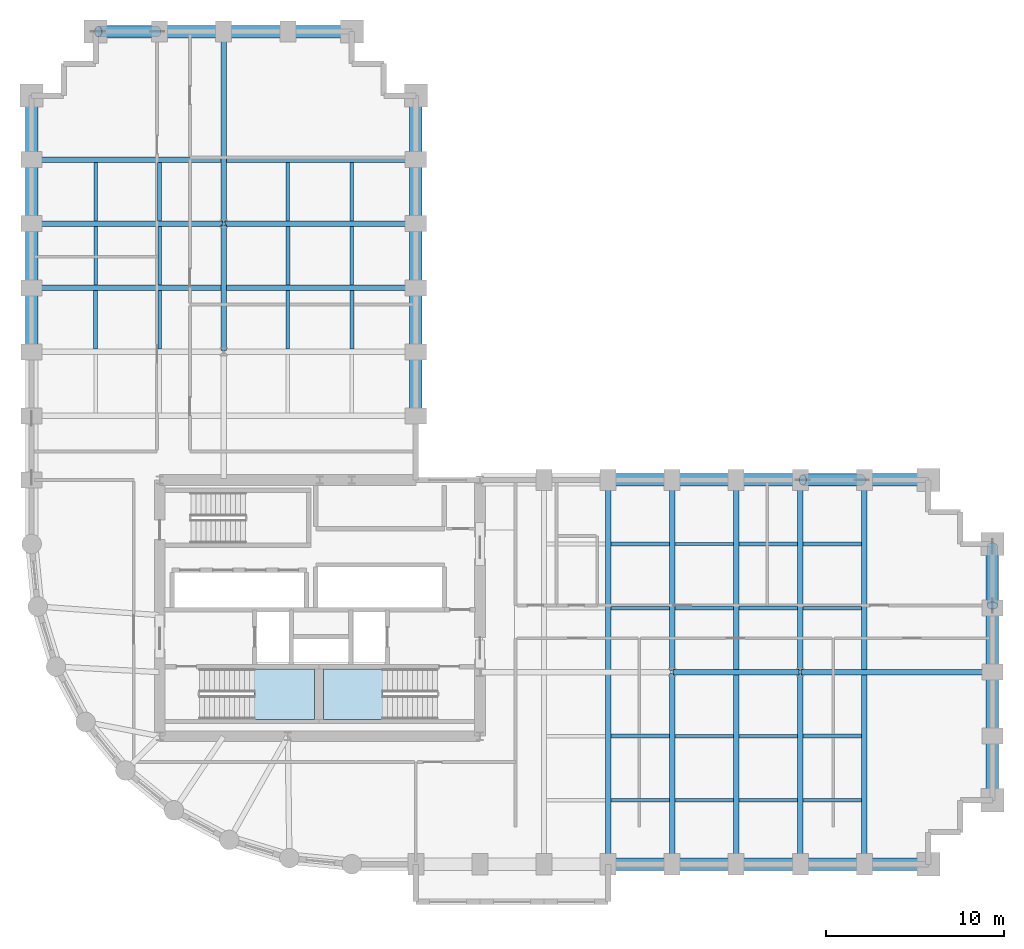
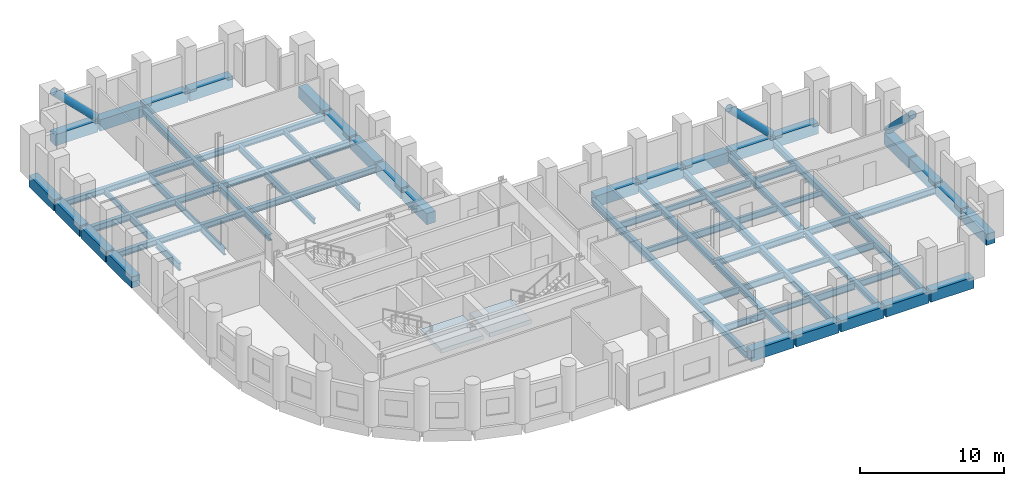
# One storey, part 2 of 9: 70 beams, 3 members, 2 slabs, 2 elements without a shape of their own.
"""IFC4 building model written with IfcOpenShell, lengths in metres."""

import ifcopenshell
import ifcopenshell.guid

model = None  # the IFC model being written
_history = None  # IfcOwnerHistory: only IFC2X3 demands one
_inside = {}  # id of a spatial element -> (the spatial element, [elements in it])
_under = {}  # id of a project, library or spatial element -> (it, [spatial elements below it])
_declared = {}  # id of a project -> (the project, [libraries it declares])
_typed = {}  # id of a type object -> (the type object, [elements of that type])
_made_of = {}  # id of a material, layer set ... -> (it, [elements and type objects made of it])


def new_model(schema):
    """Start an empty IFC model of exactly this schema.

    Asked for "IFC4X3", IfcOpenShell would pick the latest addendum, in which some entities
    have other attributes; the version numbers below select the first issue.
    IFC2X3 requires an IfcOwnerHistory on every rooted entity: one is made here for all.
    """
    global model, _history
    if schema == "IFC4X3":
        model = ifcopenshell.file(schema_version=(4, 3, 0, 0))
    else:
        model = ifcopenshell.file(schema=schema)
    _inside.clear()
    _under.clear()
    _declared.clear()
    _typed.clear()
    _made_of.clear()
    _history = None
    if model.schema == "IFC2X3":
        org = make("IfcOrganization", Name="unknown")
        user = make(
            "IfcPersonAndOrganization",
            ThePerson=make("IfcPerson", FamilyName="unknown"),
            TheOrganization=org,
        )
        app = make(
            "IfcApplication",
            ApplicationDeveloper=org,
            Version="unknown",
            ApplicationFullName="unknown",
            ApplicationIdentifier="unknown",
        )
        _history = make(
            "IfcOwnerHistory",
            OwningUser=user,
            OwningApplication=app,
            ChangeAction="ADDED",
            CreationDate=0,
        )
    return model


def make(cls, **values):
    """One entity of the class cls with the attributes given. An attribute that is None is left unset."""
    return model.create_entity(
        cls, **{name: value for name, value in values.items() if value is not None}
    )


def rooted(cls, **values):
    """An entity with a GlobalId (a new one), such as an element, a storey or a relation."""
    return make(cls, GlobalId=ifcopenshell.guid.new(), OwnerHistory=_history, **values)


def si_unit(unit_type, name, prefix=None):
    """IfcSIUnit, for example si_unit("LENGTHUNIT", "METRE", prefix="MILLI")."""
    return make("IfcSIUnit", UnitType=unit_type, Prefix=prefix, Name=name)


def assignment(units):
    """IfcUnitAssignment: the units of a project."""
    return None if units is None else make("IfcUnitAssignment", Units=units)


def point(xyz):
    """IfcCartesianPoint."""
    return None if xyz is None else make("IfcCartesianPoint", Coordinates=xyz)


def direction(xyz):
    """IfcDirection."""
    return None if xyz is None else make("IfcDirection", DirectionRatios=xyz)


def frame(location, z_axis=None, x_axis=None):
    """IfcAxis2Placement3D, a coordinate frame: its origin and axes. An axis left out is left unset."""
    return make(
        "IfcAxis2Placement3D",
        Location=point(location),
        Axis=direction(z_axis),
        RefDirection=direction(x_axis),
    )


def frame_2d(location, x_axis=None):
    """IfcAxis2Placement2D, a coordinate frame in the plane: its origin and x axis."""
    return make(
        "IfcAxis2Placement2D", Location=point(location), RefDirection=direction(x_axis)
    )


def origin():
    """The frame at (0, 0, 0) with its axes left unset."""
    return frame((0.0, 0.0, 0.0))


def origin_2d():
    """The frame at (0, 0) in the plane with its x axis left unset."""
    return frame_2d((0.0, 0.0))


def place(relative_to, where):
    """IfcLocalPlacement: puts the frame where relative to a parent placement (None: the world)."""
    return make(
        "IfcLocalPlacement", PlacementRelTo=relative_to, RelativePlacement=where
    )


def context(
    kind, dimensions, precision=None, world=None, true_north=None, identifier=None
):
    """IfcGeometricRepresentationContext, for example the 3D "Model" context."""
    return make(
        "IfcGeometricRepresentationContext",
        ContextIdentifier=identifier,
        ContextType=kind,
        CoordinateSpaceDimension=dimensions,
        Precision=precision,
        WorldCoordinateSystem=world,
        TrueNorth=true_north,
    )


def subcontext(parent, identifier, kind, view, scale=None):
    """IfcGeometricRepresentationSubContext, for example "Body" below "Model"."""
    return make(
        "IfcGeometricRepresentationSubContext",
        ContextIdentifier=identifier,
        ContextType=kind,
        ParentContext=parent,
        TargetScale=scale,
        TargetView=view,
    )


def project(units=None, contexts=None):
    """IfcProject with its units and contexts."""
    return rooted(
        "IfcProject",
        Name="project",
        RepresentationContexts=contexts,
        UnitsInContext=assignment(units),
    )


def spatial(cls, under=None, at=None, **own):
    """A site, building, storey or space (cls), placed at a placement, below another one or the project."""
    s = rooted(cls, ObjectPlacement=at, **own)
    if under is not None:
        _under.setdefault(under.id(), (under, []))[1].append(s)
    return s


def polyline(points):
    """IfcPolyline through the points."""
    return make("IfcPolyline", Points=[point(p) for p in points])


def profile(cls, at=None, kind="AREA", **sizes):
    """A parametric profile (cls). Its sizes go by their IFC names, for example OverallWidth=200.0."""
    return make(cls, ProfileType=kind, Position=at, **sizes)


def rectangle(**sizes):
    """IfcRectangleProfileDef."""
    return profile("IfcRectangleProfileDef", **sizes)


def hollow_circle(**sizes):
    """IfcCircleHollowProfileDef."""
    return profile("IfcCircleHollowProfileDef", **sizes)


def i_section(**sizes):
    """IfcIShapeProfileDef."""
    return profile("IfcIShapeProfileDef", **sizes)


def outline(outer, holes=None, kind="AREA"):
    """IfcArbitraryClosedProfileDef: a profile drawn as a closed curve; with holes, ...WithVoids."""
    if holes is None:
        return make("IfcArbitraryClosedProfileDef", ProfileType=kind, OuterCurve=outer)
    return make(
        "IfcArbitraryProfileDefWithVoids",
        ProfileType=kind,
        OuterCurve=outer,
        InnerCurves=holes,
    )


def extrude(swept, where, along, depth):
    """IfcExtrudedAreaSolid: the profile swept, set in the frame where, extruded along a direction by depth."""
    return make(
        "IfcExtrudedAreaSolid",
        SweptArea=swept,
        Position=where,
        ExtrudedDirection=direction(along),
        Depth=depth,
    )


def shape(context_of_items, identifier, shape_type, items):
    """IfcShapeRepresentation: the items that make up one representation, for example the "Body"."""
    return make(
        "IfcShapeRepresentation",
        ContextOfItems=context_of_items,
        RepresentationIdentifier=identifier,
        RepresentationType=shape_type,
        Items=items,
    )


def material(Name=None, Category=None):
    """IfcMaterial."""
    return make("IfcMaterial", Name=Name, Category=Category)


def layer(
    of_material, thickness, ventilated=None, Name=None, Category=None, Priority=None
):
    """IfcMaterialLayer: one layer of a wall or slab, of a material (None: an air gap)."""
    return make(
        "IfcMaterialLayer",
        Material=of_material,
        LayerThickness=thickness,
        IsVentilated=ventilated,
        Name=Name,
        Category=Category,
        Priority=Priority,
    )


def layer_set(layers, Name=None):
    """IfcMaterialLayerSet."""
    return make("IfcMaterialLayerSet", MaterialLayers=layers, LayerSetName=Name)


def material_profile(
    of_material, cross_section, Name=None, Category=None, Priority=None
):
    """IfcMaterialProfile: a cross section and its material."""
    return make(
        "IfcMaterialProfile",
        Name=Name,
        Material=of_material,
        Profile=cross_section,
        Priority=Priority,
        Category=Category,
    )


def profile_set(profiles, Name=None, composite=None):
    """IfcMaterialProfileSet."""
    return make(
        "IfcMaterialProfileSet",
        Name=Name,
        MaterialProfiles=profiles,
        CompositeProfile=composite,
    )


def made_of(thing, what):
    """Note that an element or type object is made of a material, layer set ...; save() writes the relation."""
    if what is not None:
        _made_of.setdefault(what.id(), (what, []))[1].append(thing)
    return thing


def type_object(cls, material=None, **own):
    """A type object (cls), such as IfcWallType, which elements share."""
    return made_of(rooted(cls, **own), material)


def element(
    cls,
    number,
    at=None,
    inside=None,
    cuts=None,
    type_object=None,
    material=None,
    context=None,
    identifier="Body",
    shape_type=None,
    held_by="IfcProductDefinitionShape",
    body=None,
    shapes=None,
    **own,
):
    """One element of the class cls, such as IfcWall. Its Tag is "e" and its number.

    at: its placement. inside: the storey or other place that contains it. cuts: it is an
    opening in that element (IfcRelVoidsElement). A single representation is given by context,
    identifier, shape_type and body (its items); several are given by shapes. held_by: the class
    of the entity that holds the representations. save() writes the other relations.
    """
    e = rooted(cls, Tag="e%d" % number, ObjectPlacement=at, **own)
    if body is not None:
        shapes = [shape(context, identifier, shape_type, body)]
    if shapes is not None:
        e.Representation = make(held_by, Representations=shapes)
    if inside is not None:
        _inside.setdefault(inside.id(), (inside, []))[1].append(e)
    if cuts is not None:
        rooted(
            "IfcRelVoidsElement", RelatingBuildingElement=cuts, RelatedOpeningElement=e
        )
    if type_object is not None:
        _typed.setdefault(type_object.id(), (type_object, []))[1].append(e)
    return made_of(e, material)


def aggregate(whole, parts):
    """IfcRelAggregates: a whole, such as a stair, and the parts it consists of."""
    return rooted("IfcRelAggregates", RelatingObject=whole, RelatedObjects=parts)


def save(model, path):
    """Write the relations noted so far, then the file.

    IfcRelAggregates (storeys below a building ...), IfcRelContainedInSpatialStructure (elements
    in a storey), IfcRelDefinesByType, IfcRelAssociatesMaterial and IfcRelDeclares: one each for
    every whole, place, type object, material and project.
    """
    for whole, parts in _under.values():
        aggregate(whole, parts)
    for where, things in _inside.values():
        rooted(
            "IfcRelContainedInSpatialStructure",
            RelatedElements=things,
            RelatingStructure=where,
        )
    for kind, things in _typed.values():
        rooted("IfcRelDefinesByType", RelatedObjects=things, RelatingType=kind)
    for what, things in _made_of.values():
        rooted("IfcRelAssociatesMaterial", RelatedObjects=things, RelatingMaterial=what)
    for by, libraries in _declared.values():
        rooted("IfcRelDeclares", RelatingContext=by, RelatedDefinitions=libraries)
    model.write(path)


model = new_model("IFC4")

# Units and contexts
model_context = context("Model", 3, precision=1e-05, world=origin(), true_north=direction((0.0, 1.0)))
body_context = subcontext(model_context, "Body", "Model", "MODEL_VIEW")
ifc_project = project(units=[si_unit("LENGTHUNIT", "METRE"), si_unit("AREAUNIT", "SQUARE_METRE"), si_unit("VOLUMEUNIT", "CUBIC_METRE"), si_unit("PLANEANGLEUNIT", "RADIAN"), si_unit("MASSUNIT", "GRAM", prefix="KILO")], contexts=[model_context])

# Site, building, storey
site_placement = place(None, origin())
site = spatial("IfcSite", under=ifc_project, at=site_placement, CompositionType="ELEMENT")
building_placement = place(site_placement, origin())
building = spatial("IfcBuilding", under=site, at=building_placement, Name="Solnavia Interchange Tower", CompositionType="ELEMENT")
storey_placement = place(building_placement, frame((0.0, 0.0, 66.89990234375)))
storey = spatial("IfcBuildingStorey", under=building, at=storey_placement, Name="L16", CompositionType="ELEMENT", Elevation=66.89990234375)

# Beams
ifc_material_1 = material(Name="Steel S460", Category="steel")
ifc_material_profile_1 = material_profile(ifc_material_1, i_section(OverallWidth=0.300048828125, OverallDepth=0.550048828125, WebThickness=0.014892578125, FlangeThickness=0.029052734375, FilletRadius=0.027099609375, at=origin_2d()), Name="HEB 550")
ifc_profile_set_1 = profile_set([ifc_material_profile_1], Name="Steel S460")
beam_type_1 = type_object("IfcBeamType", Name="Beam-Girder-HEB550", PredefinedType="BEAM", material=ifc_profile_set_1)
beam_1_placement = place(storey_placement, frame((43.280029296875, 14.39990234375, -0.52490234375), z_axis=(1.0, 0.0, 0.0), x_axis=(0.0, 1.0, 0.0)))
element("IfcBeam", 1, at=beam_1_placement, inside=storey, type_object=beam_type_1, Name="GRD-L16-ES02 East wing spine girder", PredefinedType="BEAM", context=body_context, shape_type="SweptSolid", body=[
    extrude(i_section(OverallWidth=0.300048828125, OverallDepth=0.550048828125, WebThickness=0.014892578125, FlangeThickness=0.029052734375, FilletRadius=0.027099609375, at=origin_2d()), origin(), (0.0, 0.0, 1.0), 7.0400390625),
])
beam_2_placement = place(storey_placement, frame((50.47998046875, 14.39990234375, -0.52490234375), z_axis=(1.0, 0.0, 0.0), x_axis=(0.0, 1.0, 0.0)))
element("IfcBeam", 2, at=beam_2_placement, inside=storey, type_object=beam_type_1, Name="GRD-L16-ES03 East wing spine girder", PredefinedType="BEAM", context=body_context, shape_type="SweptSolid", body=[
    extrude(i_section(OverallWidth=0.300048828125, OverallDepth=0.550048828125, WebThickness=0.014892578125, FlangeThickness=0.029052734375, FilletRadius=0.027099609375, at=origin_2d()), origin(), (0.0, 0.0, 1.0), 10.64013671875),
])
beam_3_placement = place(storey_placement, frame((18.0, 32.47998046875, -0.52490234375), z_axis=(0.0, 1.0, 0.0), x_axis=(-1.0, 0.0, 0.0)))
element("IfcBeam", 3, at=beam_3_placement, inside=storey, type_object=beam_type_1, Name="GRD-L16-NS13 North wing spine girder", PredefinedType="BEAM", context=body_context, shape_type="SweptSolid", body=[
    extrude(i_section(OverallWidth=0.300048828125, OverallDepth=0.550048828125, WebThickness=0.014892578125, FlangeThickness=0.029052734375, FilletRadius=0.027099609375, at=origin_2d()), origin(), (0.0, 0.0, 1.0), 7.0400390625),
])
beam_4_placement = place(storey_placement, frame((18.0, 39.679931640625, -0.52490234375), z_axis=(0.0, 1.0, 0.0), x_axis=(-1.0, 0.0, 0.0)))
element("IfcBeam", 4, at=beam_4_placement, inside=storey, type_object=beam_type_1, Name="GRD-L16-NS14 North wing spine girder", PredefinedType="BEAM", context=body_context, shape_type="SweptSolid", body=[
    extrude(i_section(OverallWidth=0.300048828125, OverallDepth=0.550048828125, WebThickness=0.014892578125, FlangeThickness=0.029052734375, FilletRadius=0.027099609375, at=origin_2d()), origin(), (0.0, 0.0, 1.0), 10.64013671875),
])
for number, where, z_axis, x_axis, name in (
    (5, (7.280029296875, 39.60009765625, -0.52490234375), (1.0, 0.0, 0.0), (0.0, 1.0, 0.0), "GRD-L16-NW19 North wing primary floor girder"),
    (6, (18.080078125, 39.60009765625, -0.52490234375), (1.0, 0.0, 0.0), (0.0, 1.0, 0.0), "GRD-L16-NW20 North wing primary floor girder"),
):
    element("IfcBeam", number, at=place(storey_placement, frame(where, z_axis=z_axis, x_axis=x_axis)), inside=storey, type_object=beam_type_1, Name=name, PredefinedType="BEAM", context=body_context, shape_type="SweptSolid", body=[
        extrude(i_section(OverallWidth=0.300048828125, OverallDepth=0.550048828125, WebThickness=0.014892578125, FlangeThickness=0.029052734375, FilletRadius=0.027099609375, at=origin_2d()), origin(), (0.0, 0.0, 1.0), 10.639892578125),
    ])
ifc_material_2 = material(Name="Steel S355", Category="steel")
ifc_material_profile_2 = material_profile(ifc_material_2, i_section(OverallWidth=0.18994140625, OverallDepth=0.449951171875, WebThickness=0.009521484375, FlangeThickness=0.0146484375, FilletRadius=0.02099609375, at=origin_2d()), Name="IPE 450")
ifc_profile_set_2 = profile_set([ifc_material_profile_2], Name="Steel S355")
beam_type_2 = type_object("IfcBeamType", Name="Beam-Joist-IPE450", PredefinedType="JOIST", material=ifc_profile_set_2)
beam_5_placement = place(storey_placement, frame((43.35009765625, 7.199951171875, -0.474853515625), z_axis=(1.0, 0.0, 0.0), x_axis=(0.0, 1.0, 0.0)))
element("IfcBeam", 7, at=beam_5_placement, inside=storey, type_object=beam_type_2, Name="JST-L16-E03 East wing secondary joist", PredefinedType="JOIST", context=body_context, shape_type="SweptSolid", body=[
    extrude(i_section(OverallWidth=0.18994140625, OverallDepth=0.449951171875, WebThickness=0.009521484375, FlangeThickness=0.0146484375, FilletRadius=0.02099609375, at=origin_2d()), origin(), (0.0, 0.0, 1.0), 3.2998046875),
])
for number, where, z_axis, x_axis, name in (
    (8, (46.949951171875, 10.800048828125, -0.474853515625), (1.0, 0.0, 0.0), (0.0, 1.0, 0.0), "JST-L16-E09 East wing secondary joist"),
    (9, (39.75, 18.0, -0.474853515625), (1.0, 0.0, 0.0), (0.0, 1.0, 0.0), "JST-L16-E12 East wing secondary joist"),
    (10, (50.550048828125, 18.0, -0.474853515625), (1.0, 0.0, 0.0), (0.0, 1.0, 0.0), "JST-L16-E15 East wing secondary joist"),
):
    element("IfcBeam", number, at=place(storey_placement, frame(where, z_axis=z_axis, x_axis=x_axis)), inside=storey, type_object=beam_type_2, Name=name, PredefinedType="JOIST", context=body_context, shape_type="SweptSolid", body=[
        extrude(i_section(OverallWidth=0.18994140625, OverallDepth=0.449951171875, WebThickness=0.009521484375, FlangeThickness=0.0146484375, FilletRadius=0.02099609375, at=origin_2d()), origin(), (0.0, 0.0, 1.0), 3.300048828125),
    ])
beam_6_placement = place(storey_placement, frame((43.35009765625, 21.60009765625, -0.474853515625), z_axis=(1.0, 0.0, 0.0), x_axis=(0.0, 1.0, 0.0)))
element("IfcBeam", 11, at=beam_6_placement, inside=storey, type_object=beam_type_2, Name="JST-L16-E18 East wing secondary joist", PredefinedType="JOIST", context=body_context, shape_type="SweptSolid", body=[
    extrude(i_section(OverallWidth=0.18994140625, OverallDepth=0.449951171875, WebThickness=0.009521484375, FlangeThickness=0.0146484375, FilletRadius=0.02099609375, at=origin_2d()), origin(), (0.0, 0.0, 1.0), 3.2998046875),
])
for number, where, z_axis, x_axis, name in (
    (12, (10.800048828125, 39.75, -0.474853515625), (0.0, 1.0, 0.0), (-1.0, 0.0, 0.0), "JST-L16-N24 North wing secondary joist"),
    (13, (14.39990234375, 36.14990234375, -0.474853515625), (0.0, 1.0, 0.0), (-1.0, 0.0, 0.0), "JST-L16-N27 North wing secondary joist"),
    (14, (21.60009765625, 32.550048828125, -0.474853515625), (0.0, 1.0, 0.0), (-1.0, 0.0, 0.0), "JST-L16-N30 North wing secondary joist"),
    (15, (25.199951171875, 39.75, -0.474853515625), (0.0, 1.0, 0.0), (-1.0, 0.0, 0.0), "JST-L16-N36 North wing secondary joist"),
):
    element("IfcBeam", number, at=place(storey_placement, frame(where, z_axis=z_axis, x_axis=x_axis)), inside=storey, type_object=beam_type_2, Name=name, PredefinedType="JOIST", context=body_context, shape_type="SweptSolid", body=[
        extrude(i_section(OverallWidth=0.18994140625, OverallDepth=0.449951171875, WebThickness=0.009521484375, FlangeThickness=0.0146484375, FilletRadius=0.02099609375, at=origin_2d()), origin(), (0.0, 0.0, 1.0), 3.300048828125),
    ])
ifc_material_profile_3 = material_profile(ifc_material_2, i_section(OverallWidth=0.2099609375, OverallDepth=0.550048828125, WebThickness=0.010986328125, FlangeThickness=0.01708984375, FilletRadius=0.02392578125, at=origin_2d()), Name="IPE 550")
ifc_profile_set_3 = profile_set([ifc_material_profile_3], Name="Steel S355")
beam_type_3 = type_object("IfcBeamType", Name="Beam-Joist-IPE550", PredefinedType="JOIST", material=ifc_profile_set_3)
for number, where, z_axis, x_axis, name in (
    (16, (39.75, 7.199951171875, -0.52490234375), (1.0, 0.0, 0.0), (0.0, 1.0, 0.0), "JST-L16-E02 East wing secondary joist"),
    (17, (50.550048828125, 7.199951171875, -0.52490234375), (1.0, 0.0, 0.0), (0.0, 1.0, 0.0), "JST-L16-E05 East wing secondary joist"),
):
    element("IfcBeam", number, at=place(storey_placement, frame(where, z_axis=z_axis, x_axis=x_axis)), inside=storey, type_object=beam_type_3, Name=name, PredefinedType="JOIST", context=body_context, shape_type="SweptSolid", body=[
        extrude(i_section(OverallWidth=0.2099609375, OverallDepth=0.550048828125, WebThickness=0.010986328125, FlangeThickness=0.01708984375, FilletRadius=0.02392578125, at=origin_2d()), origin(), (0.0, 0.0, 1.0), 3.300048828125),
    ])
beam_7_placement = place(storey_placement, frame((43.35009765625, 10.800048828125, -0.52490234375), z_axis=(1.0, 0.0, 0.0), x_axis=(0.0, 1.0, 0.0)))
element("IfcBeam", 18, at=beam_7_placement, inside=storey, type_object=beam_type_3, Name="JST-L16-E08 East wing secondary joist", PredefinedType="JOIST", context=body_context, shape_type="SweptSolid", body=[
    extrude(i_section(OverallWidth=0.2099609375, OverallDepth=0.550048828125, WebThickness=0.010986328125, FlangeThickness=0.01708984375, FilletRadius=0.02392578125, at=origin_2d()), origin(), (0.0, 0.0, 1.0), 3.2998046875),
])
for number, where, z_axis, x_axis, name in (
    (19, (46.949951171875, 18.0, -0.52490234375), (1.0, 0.0, 0.0), (0.0, 1.0, 0.0), "JST-L16-E14 East wing secondary joist"),
    (20, (39.75, 21.60009765625, -0.52490234375), (1.0, 0.0, 0.0), (0.0, 1.0, 0.0), "JST-L16-E17 East wing secondary joist"),
    (21, (50.550048828125, 21.60009765625, -0.52490234375), (1.0, 0.0, 0.0), (0.0, 1.0, 0.0), "JST-L16-E20 East wing secondary joist"),
    (22, (10.800048828125, 36.14990234375, -0.52490234375), (0.0, 1.0, 0.0), (-1.0, 0.0, 0.0), "JST-L16-N23 North wing secondary joist"),
    (23, (14.39990234375, 32.550048828125, -0.52490234375), (0.0, 1.0, 0.0), (-1.0, 0.0, 0.0), "JST-L16-N26 North wing secondary joist"),
    (24, (21.60009765625, 39.75, -0.52490234375), (0.0, 1.0, 0.0), (-1.0, 0.0, 0.0), "JST-L16-N32 North wing secondary joist"),
    (25, (25.199951171875, 36.14990234375, -0.52490234375), (0.0, 1.0, 0.0), (-1.0, 0.0, 0.0), "JST-L16-N35 North wing secondary joist"),
):
    element("IfcBeam", number, at=place(storey_placement, frame(where, z_axis=z_axis, x_axis=x_axis)), inside=storey, type_object=beam_type_3, Name=name, PredefinedType="JOIST", context=body_context, shape_type="SweptSolid", body=[
        extrude(i_section(OverallWidth=0.2099609375, OverallDepth=0.550048828125, WebThickness=0.010986328125, FlangeThickness=0.01708984375, FilletRadius=0.02392578125, at=origin_2d()), origin(), (0.0, 0.0, 1.0), 3.300048828125),
    ])
ifc_material_profile_4 = material_profile(ifc_material_2, i_section(OverallWidth=0.219970703125, OverallDepth=0.60009765625, WebThickness=0.011962890625, FlangeThickness=0.01904296875, FilletRadius=0.02392578125, at=origin_2d()), Name="IPE 600")
ifc_profile_set_4 = profile_set([ifc_material_profile_4], Name="Steel S355")
beam_type_4 = type_object("IfcBeamType", Name="Beam-Joist-IPE600", PredefinedType="JOIST", material=ifc_profile_set_4)
for number, where, z_axis, x_axis, name in (
    (26, (46.949951171875, 7.199951171875, -0.5498046875), (1.0, 0.0, 0.0), (0.0, 1.0, 0.0), "JST-L16-E04 East wing secondary joist"),
    (27, (39.75, 10.800048828125, -0.5498046875), (1.0, 0.0, 0.0), (0.0, 1.0, 0.0), "JST-L16-E07 East wing secondary joist"),
    (28, (50.550048828125, 10.800048828125, -0.5498046875), (1.0, 0.0, 0.0), (0.0, 1.0, 0.0), "JST-L16-E10 East wing secondary joist"),
):
    element("IfcBeam", number, at=place(storey_placement, frame(where, z_axis=z_axis, x_axis=x_axis)), inside=storey, type_object=beam_type_4, Name=name, PredefinedType="JOIST", context=body_context, shape_type="SweptSolid", body=[
        extrude(i_section(OverallWidth=0.219970703125, OverallDepth=0.60009765625, WebThickness=0.011962890625, FlangeThickness=0.01904296875, FilletRadius=0.02392578125, at=origin_2d()), origin(), (0.0, 0.0, 1.0), 3.300048828125),
    ])
beam_8_placement = place(storey_placement, frame((43.35009765625, 18.0, -0.5498046875), z_axis=(1.0, 0.0, 0.0), x_axis=(0.0, 1.0, 0.0)))
element("IfcBeam", 29, at=beam_8_placement, inside=storey, type_object=beam_type_4, Name="JST-L16-E13 East wing secondary joist", PredefinedType="JOIST", context=body_context, shape_type="SweptSolid", body=[
    extrude(i_section(OverallWidth=0.219970703125, OverallDepth=0.60009765625, WebThickness=0.011962890625, FlangeThickness=0.01904296875, FilletRadius=0.02392578125, at=origin_2d()), origin(), (0.0, 0.0, 1.0), 3.2998046875),
])
for number, where, z_axis, x_axis, name in (
    (30, (46.949951171875, 21.60009765625, -0.5498046875), (1.0, 0.0, 0.0), (0.0, 1.0, 0.0), "JST-L16-E19 East wing secondary joist"),
    (31, (10.800048828125, 32.550048828125, -0.5498046875), (0.0, 1.0, 0.0), (-1.0, 0.0, 0.0), "JST-L16-N22 North wing secondary joist"),
    (32, (14.39990234375, 39.75, -0.5498046875), (0.0, 1.0, 0.0), (-1.0, 0.0, 0.0), "JST-L16-N28 North wing secondary joist"),
    (33, (21.60009765625, 36.14990234375, -0.5498046875), (0.0, 1.0, 0.0), (-1.0, 0.0, 0.0), "JST-L16-N31 North wing secondary joist"),
    (34, (25.199951171875, 32.550048828125, -0.5498046875), (0.0, 1.0, 0.0), (-1.0, 0.0, 0.0), "JST-L16-N34 North wing secondary joist"),
):
    element("IfcBeam", number, at=place(storey_placement, frame(where, z_axis=z_axis, x_axis=x_axis)), inside=storey, type_object=beam_type_4, Name=name, PredefinedType="JOIST", context=body_context, shape_type="SweptSolid", body=[
        extrude(i_section(OverallWidth=0.219970703125, OverallDepth=0.60009765625, WebThickness=0.011962890625, FlangeThickness=0.01904296875, FilletRadius=0.02392578125, at=origin_2d()), origin(), (0.0, 0.0, 1.0), 3.300048828125),
    ])
ifc_material_profile_5 = material_profile(ifc_material_2, i_section(OverallWidth=0.300048828125, OverallDepth=0.489990234375, WebThickness=0.011962890625, FlangeThickness=0.02294921875, FilletRadius=0.027099609375, at=origin_2d()), Name="HEA 500")
ifc_profile_set_5 = profile_set([ifc_material_profile_5], Name="Steel S355")
beam_type_5 = type_object("IfcBeamType", Name="Beam-Primary-HEA500", PredefinedType="BEAM", material=ifc_profile_set_5)
for number, where, z_axis, x_axis, name in (
    (35, (43.199951171875, 3.679931640625, -0.494873046875), (0.0, 1.0, 0.0), (-1.0, 0.0, 0.0), "GRD-L16-EW06 East wing primary floor girder"),
    (36, (43.199951171875, 14.47998046875, -0.494873046875), (0.0, 1.0, 0.0), (-1.0, 0.0, 0.0), "GRD-L16-EW07 East wing primary floor girder"),
    (37, (50.39990234375, 3.679931640625, -0.494873046875), (0.0, 1.0, 0.0), (-1.0, 0.0, 0.0), "GRD-L16-EW09 East wing primary floor girder"),
    (38, (50.39990234375, 14.47998046875, -0.494873046875), (0.0, 1.0, 0.0), (-1.0, 0.0, 0.0), "GRD-L16-EW10 East wing primary floor girder"),
):
    element("IfcBeam", number, at=place(storey_placement, frame(where, z_axis=z_axis, x_axis=x_axis)), inside=storey, type_object=beam_type_5, Name=name, PredefinedType="BEAM", context=body_context, shape_type="SweptSolid", body=[
        extrude(i_section(OverallWidth=0.300048828125, OverallDepth=0.489990234375, WebThickness=0.011962890625, FlangeThickness=0.02294921875, FilletRadius=0.027099609375, at=origin_2d()), origin(), (0.0, 0.0, 1.0), 10.64013671875),
    ])
for number, where, z_axis, x_axis, name in (
    (39, (7.280029296875, 36.0, -0.494873046875), (1.0, 0.0, 0.0), (0.0, 1.0, 0.0), "GRD-L16-NW18 North wing primary floor girder"),
    (40, (7.280029296875, 43.199951171875, -0.494873046875), (1.0, 0.0, 0.0), (0.0, 1.0, 0.0), "GRD-L16-NW21 North wing primary floor girder"),
):
    element("IfcBeam", number, at=place(storey_placement, frame(where, z_axis=z_axis, x_axis=x_axis)), inside=storey, type_object=beam_type_5, Name=name, PredefinedType="BEAM", context=body_context, shape_type="SweptSolid", body=[
        extrude(i_section(OverallWidth=0.300048828125, OverallDepth=0.489990234375, WebThickness=0.011962890625, FlangeThickness=0.02294921875, FilletRadius=0.027099609375, at=origin_2d()), origin(), (0.0, 0.0, 1.0), 21.43994140625),
    ])
ifc_material_profile_6 = material_profile(ifc_material_2, i_section(OverallWidth=0.300048828125, OverallDepth=0.590087890625, WebThickness=0.012939453125, FlangeThickness=0.02490234375, FilletRadius=0.027099609375, at=origin_2d()), Name="HEA 600")
ifc_profile_set_6 = profile_set([ifc_material_profile_6], Name="Steel S355")
beam_type_6 = type_object("IfcBeamType", Name="Beam-Primary-HEA600", PredefinedType="BEAM", material=ifc_profile_set_6)
for number, where, z_axis, x_axis, name in (
    (41, (39.60009765625, 3.679931640625, -0.544921875), (0.0, 1.0, 0.0), (-1.0, 0.0, 0.0), "GRD-L16-EW05 East wing primary floor girder"),
    (42, (46.800048828125, 3.679931640625, -0.544921875), (0.0, 1.0, 0.0), (-1.0, 0.0, 0.0), "GRD-L16-EW08 East wing primary floor girder"),
    (43, (54.0, 3.679931640625, -0.544921875), (0.0, 1.0, 0.0), (-1.0, 0.0, 0.0), "GRD-L16-EW11 East wing primary floor girder"),
):
    element("IfcBeam", number, at=place(storey_placement, frame(where, z_axis=z_axis, x_axis=x_axis)), inside=storey, type_object=beam_type_6, Name=name, PredefinedType="BEAM", context=body_context, shape_type="SweptSolid", body=[
        extrude(i_section(OverallWidth=0.300048828125, OverallDepth=0.590087890625, WebThickness=0.012939453125, FlangeThickness=0.02490234375, FilletRadius=0.027099609375, at=origin_2d()), origin(), (0.0, 0.0, 1.0), 21.440185546875),
    ])
ifc_material_3 = material(Name="Concrete C50/60", Category="concrete")
ifc_material_profile_7 = material_profile(ifc_material_3, rectangle(XDim=0.699951171875, YDim=0.949951171875, at=origin_2d()), Name="RC 700x950")
ifc_profile_set_7 = profile_set([ifc_material_profile_7], Name="Concrete C50/60")
beam_type_7 = type_object("IfcBeamType", Name="Beam-Spandrel-RC700x950", PredefinedType="SPANDREL", material=ifc_profile_set_7)
beam_9_placement = place(storey_placement, frame((39.679931640625, 3.60009765625, -0.474853515625), z_axis=(1.0, 0.0, 0.0), x_axis=(0.0, 1.0, 0.0)))
element("IfcBeam", 44, at=beam_9_placement, inside=storey, type_object=beam_type_7, Name="SPB-L16-13 Framed-tube perimeter spandrel beam", PredefinedType="SPANDREL", context=body_context, shape_type="SweptSolid", body=[
    extrude(rectangle(XDim=0.699951171875, YDim=0.949951171875, at=origin_2d()), origin(), (0.0, 0.0, 1.0), 3.440185546875),
])
beam_10_placement = place(storey_placement, frame((43.280029296875, 3.60009765625, -0.474853515625), z_axis=(1.0, 0.0, 0.0), x_axis=(0.0, 1.0, 0.0)))
element("IfcBeam", 45, at=beam_10_placement, inside=storey, type_object=beam_type_7, Name="SPB-L16-14 Framed-tube perimeter spandrel beam", PredefinedType="SPANDREL", context=body_context, shape_type="SweptSolid", body=[
    extrude(rectangle(XDim=0.699951171875, YDim=0.949951171875, at=origin_2d()), origin(), (0.0, 0.0, 1.0), 3.43994140625),
])
beam_11_placement = place(storey_placement, frame((46.8798828125, 3.60009765625, -0.474853515625), z_axis=(1.0, 0.0, 0.0), x_axis=(0.0, 1.0, 0.0)))
element("IfcBeam", 46, at=beam_11_placement, inside=storey, type_object=beam_type_7, Name="SPB-L16-15 Framed-tube perimeter spandrel beam", PredefinedType="SPANDREL", context=body_context, shape_type="SweptSolid", body=[
    extrude(rectangle(XDim=0.699951171875, YDim=0.949951171875, at=origin_2d()), origin(), (0.0, 0.0, 1.0), 3.440185546875),
])
for number, where, z_axis, x_axis, name in (
    (47, (50.47998046875, 3.60009765625, -0.474853515625), (1.0, 0.0, 0.0), (0.0, 1.0, 0.0), "SPB-L16-16 Framed-tube perimeter spandrel beam"),
    (48, (54.080078125, 3.60009765625, -0.474853515625), (1.0, 0.0, 0.0), (0.0, 1.0, 0.0), "SPB-L16-17 Framed-tube perimeter spandrel beam"),
    (49, (61.199951171875, 7.280029296875, -0.474853515625), (0.0, 1.0, 0.0), (-1.0, 0.0, 0.0), "SPB-L16-18 Framed-tube perimeter spandrel beam"),
):
    element("IfcBeam", number, at=place(storey_placement, frame(where, z_axis=z_axis, x_axis=x_axis)), inside=storey, type_object=beam_type_7, Name=name, PredefinedType="SPANDREL", context=body_context, shape_type="SweptSolid", body=[
        extrude(rectangle(XDim=0.699951171875, YDim=0.949951171875, at=origin_2d()), origin(), (0.0, 0.0, 1.0), 3.43994140625),
    ])
beam_12_placement = place(storey_placement, frame((61.199951171875, 10.8798828125, -0.474853515625), z_axis=(0.0, 1.0, 0.0), x_axis=(-1.0, 0.0, 0.0)))
element("IfcBeam", 50, at=beam_12_placement, inside=storey, type_object=beam_type_7, Name="SPB-L16-19 Framed-tube perimeter spandrel beam", PredefinedType="SPANDREL", context=body_context, shape_type="SweptSolid", body=[
    extrude(rectangle(XDim=0.699951171875, YDim=0.949951171875, at=origin_2d()), origin(), (0.0, 0.0, 1.0), 3.440185546875),
])
for number, where, z_axis, x_axis, name in (
    (51, (61.199951171875, 14.47998046875, -0.474853515625), (0.0, 1.0, 0.0), (-1.0, 0.0, 0.0), "SPB-L16-20 Framed-tube perimeter spandrel beam"),
    (52, (61.199951171875, 18.080078125, -0.474853515625), (0.0, 1.0, 0.0), (-1.0, 0.0, 0.0), "SPB-L16-21 Framed-tube perimeter spandrel beam"),
    (53, (57.52001953125, 25.199951171875, -0.474853515625), (-1.0, 0.0, 0.0), (0.0, -1.0, 0.0), "SPB-L16-22 Framed-tube perimeter spandrel beam"),
    (54, (53.919921875, 25.199951171875, -0.474853515625), (-1.0, 0.0, 0.0), (0.0, -1.0, 0.0), "SPB-L16-23 Framed-tube perimeter spandrel beam"),
):
    element("IfcBeam", number, at=place(storey_placement, frame(where, z_axis=z_axis, x_axis=x_axis)), inside=storey, type_object=beam_type_7, Name=name, PredefinedType="SPANDREL", context=body_context, shape_type="SweptSolid", body=[
        extrude(rectangle(XDim=0.699951171875, YDim=0.949951171875, at=origin_2d()), origin(), (0.0, 0.0, 1.0), 3.43994140625),
    ])
beam_13_placement = place(storey_placement, frame((50.320068359375, 25.199951171875, -0.474853515625), z_axis=(-1.0, 0.0, 0.0), x_axis=(0.0, -1.0, 0.0)))
element("IfcBeam", 55, at=beam_13_placement, inside=storey, type_object=beam_type_7, Name="SPB-L16-24 Framed-tube perimeter spandrel beam", PredefinedType="SPANDREL", context=body_context, shape_type="SweptSolid", body=[
    extrude(rectangle(XDim=0.699951171875, YDim=0.949951171875, at=origin_2d()), origin(), (0.0, 0.0, 1.0), 3.440185546875),
])
beam_14_placement = place(storey_placement, frame((46.719970703125, 25.199951171875, -0.474853515625), z_axis=(-1.0, 0.0, 0.0), x_axis=(0.0, -1.0, 0.0)))
element("IfcBeam", 56, at=beam_14_placement, inside=storey, type_object=beam_type_7, Name="SPB-L16-25 Framed-tube perimeter spandrel beam", PredefinedType="SPANDREL", context=body_context, shape_type="SweptSolid", body=[
    extrude(rectangle(XDim=0.699951171875, YDim=0.949951171875, at=origin_2d()), origin(), (0.0, 0.0, 1.0), 3.43994140625),
])
for number, where, z_axis, x_axis, name in (
    (57, (43.1201171875, 25.199951171875, -0.474853515625), (-1.0, 0.0, 0.0), (0.0, -1.0, 0.0), "SPB-L16-26 Framed-tube perimeter spandrel beam"),
    (58, (28.800048828125, 28.8798828125, -0.474853515625), (0.0, 1.0, 0.0), (-1.0, 0.0, 0.0), "SPB-L16-29 Framed-tube perimeter spandrel beam"),
):
    element("IfcBeam", number, at=place(storey_placement, frame(where, z_axis=z_axis, x_axis=x_axis)), inside=storey, type_object=beam_type_7, Name=name, PredefinedType="SPANDREL", context=body_context, shape_type="SweptSolid", body=[
        extrude(rectangle(XDim=0.699951171875, YDim=0.949951171875, at=origin_2d()), origin(), (0.0, 0.0, 1.0), 3.440185546875),
    ])
for number, where, z_axis, x_axis, name in (
    (59, (28.800048828125, 32.47998046875, -0.474853515625), (0.0, 1.0, 0.0), (-1.0, 0.0, 0.0), "SPB-L16-30 Framed-tube perimeter spandrel beam"),
    (60, (28.800048828125, 36.080078125, -0.474853515625), (0.0, 1.0, 0.0), (-1.0, 0.0, 0.0), "SPB-L16-31 Framed-tube perimeter spandrel beam"),
):
    element("IfcBeam", number, at=place(storey_placement, frame(where, z_axis=z_axis, x_axis=x_axis)), inside=storey, type_object=beam_type_7, Name=name, PredefinedType="SPANDREL", context=body_context, shape_type="SweptSolid", body=[
        extrude(rectangle(XDim=0.699951171875, YDim=0.949951171875, at=origin_2d()), origin(), (0.0, 0.0, 1.0), 3.43994140625),
    ])
beam_15_placement = place(storey_placement, frame((28.800048828125, 39.679931640625, -0.474853515625), z_axis=(0.0, 1.0, 0.0), x_axis=(-1.0, 0.0, 0.0)))
element("IfcBeam", 61, at=beam_15_placement, inside=storey, type_object=beam_type_7, Name="SPB-L16-32 Framed-tube perimeter spandrel beam", PredefinedType="SPANDREL", context=body_context, shape_type="SweptSolid", body=[
    extrude(rectangle(XDim=0.699951171875, YDim=0.949951171875, at=origin_2d()), origin(), (0.0, 0.0, 1.0), 3.440185546875),
])
beam_16_placement = place(storey_placement, frame((28.800048828125, 43.280029296875, -0.474853515625), z_axis=(0.0, 1.0, 0.0), x_axis=(-1.0, 0.0, 0.0)))
element("IfcBeam", 62, at=beam_16_placement, inside=storey, type_object=beam_type_7, Name="SPB-L16-33 Framed-tube perimeter spandrel beam", PredefinedType="SPANDREL", context=body_context, shape_type="SweptSolid", body=[
    extrude(rectangle(XDim=0.699951171875, YDim=0.949951171875, at=origin_2d()), origin(), (0.0, 0.0, 1.0), 3.43994140625),
])
beam_17_placement = place(storey_placement, frame((25.1201171875, 50.39990234375, -0.474853515625), z_axis=(-1.0, 0.0, 0.0), x_axis=(0.0, -1.0, 0.0)))
element("IfcBeam", 63, at=beam_17_placement, inside=storey, type_object=beam_type_7, Name="SPB-L16-34 Framed-tube perimeter spandrel beam", PredefinedType="SPANDREL", context=body_context, shape_type="SweptSolid", body=[
    extrude(rectangle(XDim=0.699951171875, YDim=0.949951171875, at=origin_2d()), origin(), (0.0, 0.0, 1.0), 3.440185546875),
])
for number, where, z_axis, x_axis, name in (
    (64, (21.52001953125, 50.39990234375, -0.474853515625), (-1.0, 0.0, 0.0), (0.0, -1.0, 0.0), "SPB-L16-35 Framed-tube perimeter spandrel beam"),
    (65, (17.919921875, 50.39990234375, -0.474853515625), (-1.0, 0.0, 0.0), (0.0, -1.0, 0.0), "SPB-L16-36 Framed-tube perimeter spandrel beam"),
):
    element("IfcBeam", number, at=place(storey_placement, frame(where, z_axis=z_axis, x_axis=x_axis)), inside=storey, type_object=beam_type_7, Name=name, PredefinedType="SPANDREL", context=body_context, shape_type="SweptSolid", body=[
        extrude(rectangle(XDim=0.699951171875, YDim=0.949951171875, at=origin_2d()), origin(), (0.0, 0.0, 1.0), 3.43994140625),
    ])
beam_18_placement = place(storey_placement, frame((14.320068359375, 50.39990234375, -0.474853515625), z_axis=(-1.0, 0.0, 0.0), x_axis=(0.0, -1.0, 0.0)))
element("IfcBeam", 66, at=beam_18_placement, inside=storey, type_object=beam_type_7, Name="SPB-L16-37 Framed-tube perimeter spandrel beam", PredefinedType="SPANDREL", context=body_context, shape_type="SweptSolid", body=[
    extrude(rectangle(XDim=0.699951171875, YDim=0.949951171875, at=origin_2d()), origin(), (0.0, 0.0, 1.0), 3.440185546875),
])
beam_19_placement = place(storey_placement, frame((7.199951171875, 46.719970703125, -0.474853515625), z_axis=(0.0, -1.0, 0.0), x_axis=(1.0, 0.0, 0.0)))
element("IfcBeam", 67, at=beam_19_placement, inside=storey, type_object=beam_type_7, Name="SPB-L16-38 Framed-tube perimeter spandrel beam", PredefinedType="SPANDREL", context=body_context, shape_type="SweptSolid", body=[
    extrude(rectangle(XDim=0.699951171875, YDim=0.949951171875, at=origin_2d()), origin(), (0.0, 0.0, 1.0), 3.43994140625),
])
beam_20_placement = place(storey_placement, frame((7.199951171875, 43.1201171875, -0.474853515625), z_axis=(0.0, -1.0, 0.0), x_axis=(1.0, 0.0, 0.0)))
element("IfcBeam", 68, at=beam_20_placement, inside=storey, type_object=beam_type_7, Name="SPB-L16-39 Framed-tube perimeter spandrel beam", PredefinedType="SPANDREL", context=body_context, shape_type="SweptSolid", body=[
    extrude(rectangle(XDim=0.699951171875, YDim=0.949951171875, at=origin_2d()), origin(), (0.0, 0.0, 1.0), 3.440185546875),
])
for number, where, z_axis, x_axis, name in (
    (69, (7.199951171875, 39.52001953125, -0.474853515625), (0.0, -1.0, 0.0), (1.0, 0.0, 0.0), "SPB-L16-40 Framed-tube perimeter spandrel beam"),
    (70, (7.199951171875, 35.919921875, -0.474853515625), (0.0, -1.0, 0.0), (1.0, 0.0, 0.0), "SPB-L16-41 Framed-tube perimeter spandrel beam"),
):
    element("IfcBeam", number, at=place(storey_placement, frame(where, z_axis=z_axis, x_axis=x_axis)), inside=storey, type_object=beam_type_7, Name=name, PredefinedType="SPANDREL", context=body_context, shape_type="SweptSolid", body=[
        extrude(rectangle(XDim=0.699951171875, YDim=0.949951171875, at=origin_2d()), origin(), (0.0, 0.0, 1.0), 3.43994140625),
    ])

# Members
ifc_material_profile_8 = material_profile(ifc_material_1, hollow_circle(Radius=0.304931640625, WallThickness=0.02490234375, at=origin_2d()), Name="CHS 610x25")
ifc_profile_set_8 = profile_set([ifc_material_profile_8], Name="Steel S460")
member_type = type_object("IfcMemberType", Name="Brace-Perim-CHS610", PredefinedType="BRACE", material=ifc_profile_set_8)
for number, where, z_axis, x_axis, name in (
    (71, (61.199951171875, 21.4599609375, 0.18017578125), (0.0, -0.710311792477, 0.703887176661), (1.0, 0.0, 0.0), "BRC-L16-02 Perimeter tube diagonal brace"),
    (72, (14.260009765625, 50.39990234375, 0.18017578125), (-0.710311792477, 0.0, 0.703887176661), (0.0, -1.0, 0.0), "BRC-L16-03 Perimeter tube diagonal brace"),
    (73, (53.860107421875, 25.199951171875, 0.18017578125), (-0.710311792477, 0.0, 0.703887176661), (0.0, -1.0, 0.0), "BRC-L16-04 Perimeter tube diagonal brace"),
):
    element("IfcMember", number, at=place(storey_placement, frame(where, z_axis=z_axis, x_axis=x_axis)), inside=storey, type_object=member_type, Name=name, PredefinedType="BRACE", context=body_context, shape_type="SweptSolid", body=[
        extrude(hollow_circle(Radius=0.304931640625, WallThickness=0.02490234375, at=origin_2d()), origin(), (0.0, 0.0, 1.0), 4.674072265625),
    ])

# Stair, slab
ifc_material_4 = material(Name="Concrete C40/50", Category="concrete")
stair_type = type_object("IfcStairType", Name="Stair-Dogleg-RC", PredefinedType="HALF_TURN_STAIR", material=ifc_material_4)
stair_1_placement = place(storey_placement, origin())
stair_1 = element("IfcStair", 74, at=stair_1_placement, inside=storey, type_object=stair_type, Name="L16 Core exit stair 1", PredefinedType="HALF_TURN_STAIR")
ifc_layer = layer(ifc_material_4, 0.35009765625)
ifc_layer_set = layer_set([ifc_layer], Name="Concrete C40/50")
slab_type = type_object("IfcSlabType", Name="Slab-StairLanding-350", PredefinedType="LANDING", material=ifc_layer_set)
slab_1_placement = place(storey_placement, frame((0.0, 0.0, 1.60009765625)))
slab_1 = element("IfcSlab", 75, at=slab_1_placement, type_object=slab_type, Name="ST-1 landing 1", PredefinedType="LANDING", context=body_context, shape_type="SweptSolid", body=[
    extrude(outline(polyline([(19.7080078125, 11.75), (23.10009765625, 11.75), (23.10009765625, 14.590087890625), (19.7080078125, 14.590087890625), (19.7080078125, 11.75)])), origin(), (0.0, 0.0, 1.0), 0.35009765625),
])
aggregate(stair_1, [slab_1])

stair_2_placement = place(storey_placement, origin())
stair_2 = element("IfcStair", 76, at=stair_2_placement, inside=storey, type_object=stair_type, Name="L16 Core exit stair 2", PredefinedType="HALF_TURN_STAIR")
slab_2_placement = place(storey_placement, frame((0.0, 0.0, 1.60009765625)))
slab_2 = element("IfcSlab", 77, at=slab_2_placement, type_object=slab_type, Name="ST-2 landing 1", PredefinedType="LANDING", context=body_context, shape_type="SweptSolid", body=[
    extrude(outline(polyline([(23.60009765625, 11.75), (26.94189453125, 11.75), (26.94189453125, 14.590087890625), (23.60009765625, 14.590087890625), (23.60009765625, 11.75)])), origin(), (0.0, 0.0, 1.0), 0.35009765625),
])
aggregate(stair_2, [slab_2])

save(model, "model.ifc")
